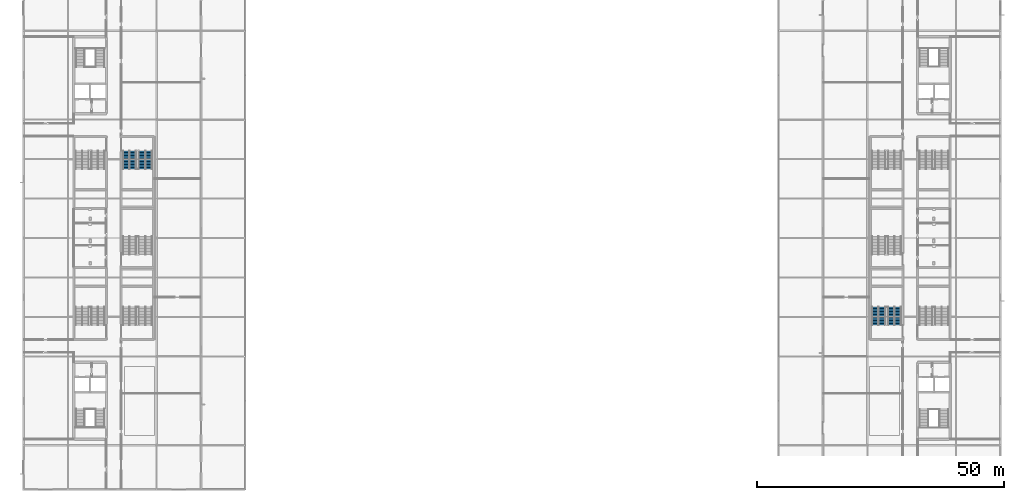
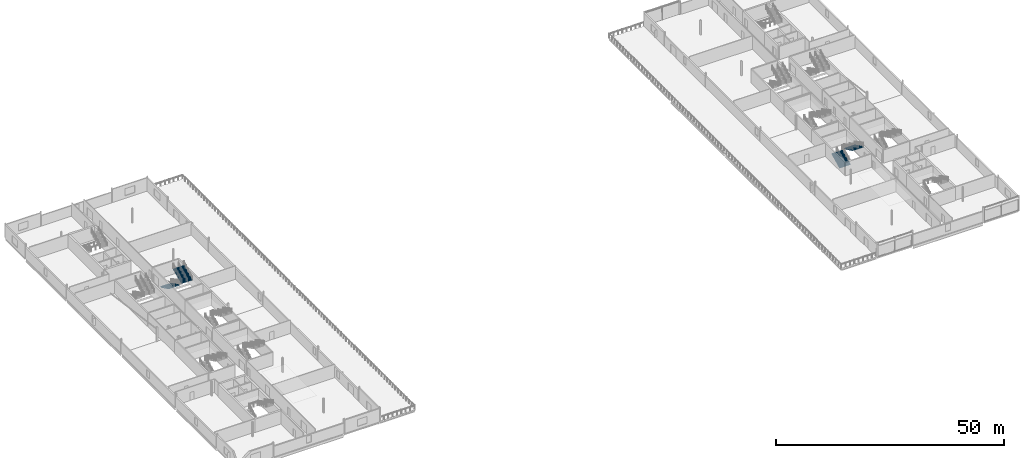
# One storey, part 44 of 55: 4 stair flights, 2 elements without a shape of their own.
"""IFC4 building model written with IfcOpenShell, lengths in metres."""

from ifc_helpers import new_model, si_unit, direction, frame, origin, place, context, subcontext, project, spatial, polygons, material, type_object, element, aggregate, save


model = new_model("IFC4")

# Units and contexts
model_context = context("Model", 3, precision=1e-05, world=origin(), true_north=direction((0.0, 1.0)))
body_context = subcontext(model_context, "Body", "Model", "MODEL_VIEW")
ifc_project = project(units=[si_unit("LENGTHUNIT", "METRE"), si_unit("AREAUNIT", "SQUARE_METRE"), si_unit("VOLUMEUNIT", "CUBIC_METRE"), si_unit("PLANEANGLEUNIT", "RADIAN"), si_unit("MASSUNIT", "GRAM", prefix="KILO")], contexts=[model_context])

# Site, building, storey
site_placement = place(None, origin())
site = spatial("IfcSite", under=ifc_project, at=site_placement, CompositionType="ELEMENT")
building_placement = place(site_placement, origin())
building = spatial("IfcBuilding", under=site, at=building_placement, Name="Kisiwana Market Hall", CompositionType="ELEMENT")
storey_placement = place(building_placement, frame((0.0, 0.0, 37.800048828125)))
storey = spatial("IfcBuildingStorey", under=building, at=storey_placement, Name="L08", CompositionType="ELEMENT", Elevation=37.800048828125)

# Stair, stair flights
ifc_material_1 = material(Name="Concrete C32/40", Category="concrete")
stair_type = type_object("IfcStairType", Name="ST-ESC-3900", PredefinedType="TWO_STRAIGHT_RUN_STAIR", material=ifc_material_1)
stair_1_placement = place(storey_placement, origin())
stair_1 = element("IfcStair", 1, at=stair_1_placement, inside=storey, type_object=stair_type, Name="Escape stair ST-E7-L08", PredefinedType="TWO_STRAIGHT_RUN_STAIR")
ifc_material_2 = material(Name="Concrete C32/40", Category="concrete")
stair_flight_type = type_object("IfcStairFlightType", Name="SF-ESC-3900", PredefinedType="STRAIGHT", material=ifc_material_2)
stair_flight_1_placement = place(storey_placement, frame((173.2900390625, 42.360107421875, 0.0), z_axis=(0.0, 0.0, 1.0), x_axis=(0.0, 1.0, 0.0)))
stair_flight_1 = element("IfcStairFlight", 2, at=stair_flight_1_placement, type_object=stair_flight_type, Name="ST-E7-L08 flight 1", NumberOfRisers=13, NumberOfTreads=12, PredefinedType="STRAIGHT", RiserHeight=0.15, TreadLength=0.305, context=body_context, shape_type="Tessellation", body=[
    polygons([(0.0, -1.380127, 0.0), (0.0, -0.690125, 0.0), (0.0, -0.000122, 0.0), (0.0, 0.68988, 0.0), (0.0, 1.379883, 0.0), (0.0, -1.380127, 0.149902), (0.0, -0.690125, 0.149902), (0.0, -0.000122, 0.149902), (0.0, 0.68988, 0.149902), (0.0, 1.379883, 0.149902), (0.304932, -1.380127, 0.149902), (0.304932, -0.690125, 0.149902), (0.304932, -0.000122, 0.149902), (0.304932, 0.68988, 0.149902), (0.304932, 1.379883, 0.149902), (0.304932, -1.380127, 0.300049), (0.304932, -0.690125, 0.300049), (0.304932, -0.000122, 0.300049), (0.304932, 0.68988, 0.300049), (0.304932, 1.379883, 0.300049), (0.610107, -1.380127, 0.300049), (0.610107, -0.690125, 0.300049), (0.610107, -0.000122, 0.300049), (0.610107, 0.68988, 0.300049), (0.610107, 1.379883, 0.300049), (0.610107, -1.380127, 0.449951), (0.610107, -0.690125, 0.449951), (0.610107, -0.000122, 0.449951), (0.610107, 0.68988, 0.449951), (0.610107, 1.379883, 0.449951), (0.915039, -1.380127, 0.449951), (0.915039, -0.690125, 0.449951), (0.915039, -0.000122, 0.449951), (0.915039, 0.68988, 0.449951), (0.915039, 1.379883, 0.449951), (0.915039, -1.380127, 0.600098), (0.915039, -0.690125, 0.600098), (0.915039, -0.000122, 0.600098), (0.915039, 0.68988, 0.600098), (0.915039, 1.379883, 0.600098), (1.219971, -1.380127, 0.600098), (1.219971, -0.690125, 0.600098), (1.219971, -0.000122, 0.600098), (1.219971, 0.68988, 0.600098), (1.219971, 1.379883, 0.600098), (1.219971, -1.380127, 0.75), (1.219971, -0.690125, 0.75), (1.219971, -0.000122, 0.75), (1.219971, 0.68988, 0.75), (1.219971, 1.379883, 0.75), (1.524902, -1.380127, 0.75), (1.524902, -0.690125, 0.75), (1.524902, -0.000122, 0.75), (1.524902, 0.68988, 0.75), (1.524902, 1.379883, 0.75), (1.524902, -1.380127, 0.899902), (1.524902, -0.690125, 0.899902), (1.524902, -0.000122, 0.899902), (1.524902, 0.68988, 0.899902), (1.524902, 1.379883, 0.899902), (1.830078, -1.380127, 0.899902), (1.830078, -0.690125, 0.899902), (1.830078, -0.000122, 0.899902), (1.830078, 0.68988, 0.899902), (1.830078, 1.379883, 0.899902), (1.830078, -1.380127, 1.050049), (1.830078, -0.690125, 1.050049), (1.830078, -0.000122, 1.050049), (1.830078, 0.68988, 1.050049), (1.830078, 1.379883, 1.050049), (2.13501, -1.380127, 1.050049), (2.13501, -0.690125, 1.050049), (2.13501, -0.000122, 1.050049), (2.13501, 0.68988, 1.050049), (2.13501, 1.379883, 1.050049), (2.13501, -1.380127, 1.199951), (2.13501, -0.690125, 1.199951), (2.13501, -0.000122, 1.199951), (2.13501, 0.68988, 1.199951), (2.13501, 1.379883, 1.199951), (2.439941, -1.380127, 1.199951), (2.439941, -0.690125, 1.199951), (2.439941, -0.000122, 1.199951), (2.439941, 0.68988, 1.199951), (2.439941, 1.379883, 1.199951), (2.439941, -1.380127, 1.350098), (2.439941, -0.690125, 1.350098), (2.439941, -0.000122, 1.350098), (2.439941, 0.68988, 1.350098), (2.439941, 1.379883, 1.350098), (2.745117, -1.380127, 1.350098), (2.745117, -0.690125, 1.350098), (2.745117, -0.000122, 1.350098), (2.745117, 0.68988, 1.350098), (2.745117, 1.379883, 1.350098), (2.745117, -1.380127, 1.5), (2.745117, -0.690125, 1.5), (2.745117, -0.000122, 1.5), (2.745117, 0.68988, 1.5), (2.745117, 1.379883, 1.5), (3.050049, -1.380127, 1.5), (3.050049, -0.690125, 1.5), (3.050049, -0.000122, 1.5), (3.050049, 0.68988, 1.5), (3.050049, 1.379883, 1.5), (3.050049, -1.380127, 1.649902), (3.050049, -0.690125, 1.649902), (3.050049, -0.000122, 1.649902), (3.050049, 0.68988, 1.649902), (3.050049, 1.379883, 1.649902), (3.35498, -1.380127, 1.649902), (3.35498, -0.690125, 1.649902), (3.35498, -0.000122, 1.649902), (3.35498, 0.68988, 1.649902), (3.35498, 1.379883, 1.649902), (3.35498, -1.380127, 1.800049), (3.35498, -0.690125, 1.800049), (3.35498, -0.000122, 1.800049), (3.35498, 0.68988, 1.800049), (3.35498, 1.379883, 1.800049), (3.659912, -1.380127, 1.800049), (3.659912, -0.690125, 1.800049), (3.659912, -0.000122, 1.800049), (3.659912, 0.68988, 1.800049), (3.659912, 1.379883, 1.800049), (3.659912, -1.380127, 1.599365), (3.659912, -0.690125, 1.599365), (3.659912, -0.000122, 1.599365), (3.659912, 0.68988, 1.599365), (3.659912, 1.379883, 1.599365), (0.407715, -1.380127, 0.0), (0.407715, -0.690125, 0.0), (0.407715, -0.000122, 0.0), (0.407715, 0.68988, 0.0), (0.407715, 1.379883, 0.0)], [[[1, 6, 7, 2]], [[2, 7, 8, 3]], [[3, 8, 9, 4]], [[4, 9, 10, 5]], [[6, 11, 12, 7]], [[7, 12, 13, 8]], [[8, 13, 14, 9]], [[9, 14, 15, 10]], [[11, 16, 17, 12]], [[12, 17, 18, 13]], [[13, 18, 19, 14]], [[14, 19, 20, 15]], [[16, 21, 22, 17]], [[17, 22, 23, 18]], [[18, 23, 24, 19]], [[19, 24, 25, 20]], [[21, 26, 27, 22]], [[22, 27, 28, 23]], [[23, 28, 29, 24]], [[24, 29, 30, 25]], [[26, 31, 32, 27]], [[27, 32, 33, 28]], [[28, 33, 34, 29]], [[29, 34, 35, 30]], [[31, 36, 37, 32]], [[32, 37, 38, 33]], [[33, 38, 39, 34]], [[34, 39, 40, 35]], [[36, 41, 42, 37]], [[37, 42, 43, 38]], [[38, 43, 44, 39]], [[39, 44, 45, 40]], [[41, 46, 47, 42]], [[42, 47, 48, 43]], [[43, 48, 49, 44]], [[44, 49, 50, 45]], [[46, 51, 52, 47]], [[47, 52, 53, 48]], [[48, 53, 54, 49]], [[49, 54, 55, 50]], [[51, 56, 57, 52]], [[52, 57, 58, 53]], [[53, 58, 59, 54]], [[54, 59, 60, 55]], [[56, 61, 62, 57]], [[57, 62, 63, 58]], [[58, 63, 64, 59]], [[59, 64, 65, 60]], [[61, 66, 67, 62]], [[62, 67, 68, 63]], [[63, 68, 69, 64]], [[64, 69, 70, 65]], [[66, 71, 72, 67]], [[67, 72, 73, 68]], [[68, 73, 74, 69]], [[69, 74, 75, 70]], [[71, 76, 77, 72]], [[72, 77, 78, 73]], [[73, 78, 79, 74]], [[74, 79, 80, 75]], [[76, 81, 82, 77]], [[77, 82, 83, 78]], [[78, 83, 84, 79]], [[79, 84, 85, 80]], [[81, 86, 87, 82]], [[82, 87, 88, 83]], [[83, 88, 89, 84]], [[84, 89, 90, 85]], [[86, 91, 92, 87]], [[87, 92, 93, 88]], [[88, 93, 94, 89]], [[89, 94, 95, 90]], [[91, 96, 97, 92]], [[92, 97, 98, 93]], [[93, 98, 99, 94]], [[94, 99, 100, 95]], [[96, 101, 102, 97]], [[97, 102, 103, 98]], [[98, 103, 104, 99]], [[99, 104, 105, 100]], [[101, 106, 107, 102]], [[102, 107, 108, 103]], [[103, 108, 109, 104]], [[104, 109, 110, 105]], [[106, 111, 112, 107]], [[107, 112, 113, 108]], [[108, 113, 114, 109]], [[109, 114, 115, 110]], [[111, 116, 117, 112]], [[112, 117, 118, 113]], [[113, 118, 119, 114]], [[114, 119, 120, 115]], [[116, 121, 122, 117]], [[117, 122, 123, 118]], [[118, 123, 124, 119]], [[119, 124, 125, 120]], [[121, 126, 127, 122]], [[122, 127, 128, 123]], [[123, 128, 129, 124]], [[124, 129, 130, 125]], [[126, 131, 132, 127]], [[127, 132, 133, 128]], [[128, 133, 134, 129]], [[129, 134, 135, 130]], [[131, 1, 2, 132]], [[132, 2, 3, 133]], [[133, 3, 4, 134]], [[134, 4, 5, 135]], [[131, 126, 121, 116, 111, 106, 101, 96, 91, 86, 81, 76, 71, 66, 61, 56, 51, 46, 41, 36, 31, 26, 21, 16, 11, 6, 1]], [[5, 10, 15, 20, 25, 30, 35, 40, 45, 50, 55, 60, 65, 70, 75, 80, 85, 90, 95, 100, 105, 110, 115, 120, 125, 130, 135]]], closed=True),
])
stair_flight_2_placement = place(storey_placement, frame((176.510009765625, 46.02001953125, 1.949951171875), z_axis=(0.0, 0.0, 1.0), x_axis=(0.0, -1.0, 0.0)))
stair_flight_2 = element("IfcStairFlight", 3, at=stair_flight_2_placement, type_object=stair_flight_type, Name="ST-E7-L08 flight 2", NumberOfRisers=13, NumberOfTreads=12, PredefinedType="STRAIGHT", RiserHeight=0.15, TreadLength=0.305, context=body_context, shape_type="Tessellation", body=[
    polygons([(0.0, -1.380127, 0.0), (0.0, -0.690125, 0.0), (0.0, -0.000122, 0.0), (0.0, 0.68988, 0.0), (0.0, 1.379883, 0.0), (0.0, -1.380127, 0.149902), (0.0, -0.690125, 0.149902), (0.0, -0.000122, 0.149902), (0.0, 0.68988, 0.149902), (0.0, 1.379883, 0.149902), (0.304932, -1.380127, 0.149902), (0.304932, -0.690125, 0.149902), (0.304932, -0.000122, 0.149902), (0.304932, 0.68988, 0.149902), (0.304932, 1.379883, 0.149902), (0.304932, -1.380127, 0.300049), (0.304932, -0.690125, 0.300049), (0.304932, -0.000122, 0.300049), (0.304932, 0.68988, 0.300049), (0.304932, 1.379883, 0.300049), (0.610107, -1.380127, 0.300049), (0.610107, -0.690125, 0.300049), (0.610107, -0.000122, 0.300049), (0.610107, 0.68988, 0.300049), (0.610107, 1.379883, 0.300049), (0.610107, -1.380127, 0.449951), (0.610107, -0.690125, 0.449951), (0.610107, -0.000122, 0.449951), (0.610107, 0.68988, 0.449951), (0.610107, 1.379883, 0.449951), (0.915039, -1.380127, 0.449951), (0.915039, -0.690125, 0.449951), (0.915039, -0.000122, 0.449951), (0.915039, 0.68988, 0.449951), (0.915039, 1.379883, 0.449951), (0.915039, -1.380127, 0.600098), (0.915039, -0.690125, 0.600098), (0.915039, -0.000122, 0.600098), (0.915039, 0.68988, 0.600098), (0.915039, 1.379883, 0.600098), (1.219971, -1.380127, 0.600098), (1.219971, -0.690125, 0.600098), (1.219971, -0.000122, 0.600098), (1.219971, 0.68988, 0.600098), (1.219971, 1.379883, 0.600098), (1.219971, -1.380127, 0.75), (1.219971, -0.690125, 0.75), (1.219971, -0.000122, 0.75), (1.219971, 0.68988, 0.75), (1.219971, 1.379883, 0.75), (1.524902, -1.380127, 0.75), (1.524902, -0.690125, 0.75), (1.524902, -0.000122, 0.75), (1.524902, 0.68988, 0.75), (1.524902, 1.379883, 0.75), (1.524902, -1.380127, 0.899902), (1.524902, -0.690125, 0.899902), (1.524902, -0.000122, 0.899902), (1.524902, 0.68988, 0.899902), (1.524902, 1.379883, 0.899902), (1.830078, -1.380127, 0.899902), (1.830078, -0.690125, 0.899902), (1.830078, -0.000122, 0.899902), (1.830078, 0.68988, 0.899902), (1.830078, 1.379883, 0.899902), (1.830078, -1.380127, 1.050049), (1.830078, -0.690125, 1.050049), (1.830078, -0.000122, 1.050049), (1.830078, 0.68988, 1.050049), (1.830078, 1.379883, 1.050049), (2.13501, -1.380127, 1.050049), (2.13501, -0.690125, 1.050049), (2.13501, -0.000122, 1.050049), (2.13501, 0.68988, 1.050049), (2.13501, 1.379883, 1.050049), (2.13501, -1.380127, 1.199951), (2.13501, -0.690125, 1.199951), (2.13501, -0.000122, 1.199951), (2.13501, 0.68988, 1.199951), (2.13501, 1.379883, 1.199951), (2.439941, -1.380127, 1.199951), (2.439941, -0.690125, 1.199951), (2.439941, -0.000122, 1.199951), (2.439941, 0.68988, 1.199951), (2.439941, 1.379883, 1.199951), (2.439941, -1.380127, 1.350098), (2.439941, -0.690125, 1.350098), (2.439941, -0.000122, 1.350098), (2.439941, 0.68988, 1.350098), (2.439941, 1.379883, 1.350098), (2.745117, -1.380127, 1.350098), (2.745117, -0.690125, 1.350098), (2.745117, -0.000122, 1.350098), (2.745117, 0.68988, 1.350098), (2.745117, 1.379883, 1.350098), (2.745117, -1.380127, 1.5), (2.745117, -0.690125, 1.5), (2.745117, -0.000122, 1.5), (2.745117, 0.68988, 1.5), (2.745117, 1.379883, 1.5), (3.050049, -1.380127, 1.5), (3.050049, -0.690125, 1.5), (3.050049, -0.000122, 1.5), (3.050049, 0.68988, 1.5), (3.050049, 1.379883, 1.5), (3.050049, -1.380127, 1.649902), (3.050049, -0.690125, 1.649902), (3.050049, -0.000122, 1.649902), (3.050049, 0.68988, 1.649902), (3.050049, 1.379883, 1.649902), (3.35498, -1.380127, 1.649902), (3.35498, -0.690125, 1.649902), (3.35498, -0.000122, 1.649902), (3.35498, 0.68988, 1.649902), (3.35498, 1.379883, 1.649902), (3.35498, -1.380127, 1.800049), (3.35498, -0.690125, 1.800049), (3.35498, -0.000122, 1.800049), (3.35498, 0.68988, 1.800049), (3.35498, 1.379883, 1.800049), (3.659912, -1.380127, 1.800049), (3.659912, -0.690125, 1.800049), (3.659912, -0.000122, 1.800049), (3.659912, 0.68988, 1.800049), (3.659912, 1.379883, 1.800049), (3.659912, -1.380127, 1.599365), (3.659912, -0.690125, 1.599365), (3.659912, -0.000122, 1.599365), (3.659912, 0.68988, 1.599365), (3.659912, 1.379883, 1.599365), (0.407715, -1.380127, 0.0), (0.407715, -0.690125, 0.0), (0.407715, -0.000122, 0.0), (0.407715, 0.68988, 0.0), (0.407715, 1.379883, 0.0)], [[[1, 6, 7, 2]], [[2, 7, 8, 3]], [[3, 8, 9, 4]], [[4, 9, 10, 5]], [[6, 11, 12, 7]], [[7, 12, 13, 8]], [[8, 13, 14, 9]], [[9, 14, 15, 10]], [[11, 16, 17, 12]], [[12, 17, 18, 13]], [[13, 18, 19, 14]], [[14, 19, 20, 15]], [[16, 21, 22, 17]], [[17, 22, 23, 18]], [[18, 23, 24, 19]], [[19, 24, 25, 20]], [[21, 26, 27, 22]], [[22, 27, 28, 23]], [[23, 28, 29, 24]], [[24, 29, 30, 25]], [[26, 31, 32, 27]], [[27, 32, 33, 28]], [[28, 33, 34, 29]], [[29, 34, 35, 30]], [[31, 36, 37, 32]], [[32, 37, 38, 33]], [[33, 38, 39, 34]], [[34, 39, 40, 35]], [[36, 41, 42, 37]], [[37, 42, 43, 38]], [[38, 43, 44, 39]], [[39, 44, 45, 40]], [[41, 46, 47, 42]], [[42, 47, 48, 43]], [[43, 48, 49, 44]], [[44, 49, 50, 45]], [[46, 51, 52, 47]], [[47, 52, 53, 48]], [[48, 53, 54, 49]], [[49, 54, 55, 50]], [[51, 56, 57, 52]], [[52, 57, 58, 53]], [[53, 58, 59, 54]], [[54, 59, 60, 55]], [[56, 61, 62, 57]], [[57, 62, 63, 58]], [[58, 63, 64, 59]], [[59, 64, 65, 60]], [[61, 66, 67, 62]], [[62, 67, 68, 63]], [[63, 68, 69, 64]], [[64, 69, 70, 65]], [[66, 71, 72, 67]], [[67, 72, 73, 68]], [[68, 73, 74, 69]], [[69, 74, 75, 70]], [[71, 76, 77, 72]], [[72, 77, 78, 73]], [[73, 78, 79, 74]], [[74, 79, 80, 75]], [[76, 81, 82, 77]], [[77, 82, 83, 78]], [[78, 83, 84, 79]], [[79, 84, 85, 80]], [[81, 86, 87, 82]], [[82, 87, 88, 83]], [[83, 88, 89, 84]], [[84, 89, 90, 85]], [[86, 91, 92, 87]], [[87, 92, 93, 88]], [[88, 93, 94, 89]], [[89, 94, 95, 90]], [[91, 96, 97, 92]], [[92, 97, 98, 93]], [[93, 98, 99, 94]], [[94, 99, 100, 95]], [[96, 101, 102, 97]], [[97, 102, 103, 98]], [[98, 103, 104, 99]], [[99, 104, 105, 100]], [[101, 106, 107, 102]], [[102, 107, 108, 103]], [[103, 108, 109, 104]], [[104, 109, 110, 105]], [[106, 111, 112, 107]], [[107, 112, 113, 108]], [[108, 113, 114, 109]], [[109, 114, 115, 110]], [[111, 116, 117, 112]], [[112, 117, 118, 113]], [[113, 118, 119, 114]], [[114, 119, 120, 115]], [[116, 121, 122, 117]], [[117, 122, 123, 118]], [[118, 123, 124, 119]], [[119, 124, 125, 120]], [[121, 126, 127, 122]], [[122, 127, 128, 123]], [[123, 128, 129, 124]], [[124, 129, 130, 125]], [[126, 131, 132, 127]], [[127, 132, 133, 128]], [[128, 133, 134, 129]], [[129, 134, 135, 130]], [[131, 1, 2, 132]], [[132, 2, 3, 133]], [[133, 3, 4, 134]], [[134, 4, 5, 135]], [[131, 126, 121, 116, 111, 106, 101, 96, 91, 86, 81, 76, 71, 66, 61, 56, 51, 46, 41, 36, 31, 26, 21, 16, 11, 6, 1]], [[5, 10, 15, 20, 25, 30, 35, 40, 45, 50, 55, 60, 65, 70, 75, 80, 85, 90, 95, 100, 105, 110, 115, 120, 125, 130, 135]]], closed=True),
])
aggregate(stair_1, [stair_flight_1, stair_flight_2])

stair_2_placement = place(storey_placement, origin())
stair_2 = element("IfcStair", 4, at=stair_2_placement, inside=storey, type_object=stair_type, Name="Escape stair ST-W8-L08", PredefinedType="TWO_STRAIGHT_RUN_STAIR")
stair_flight_3_placement = place(storey_placement, frame((21.489990234375, 77.639892578125, 0.0), z_axis=(0.0, 0.0, 1.0), x_axis=(0.0, -1.0, 0.0)))
stair_flight_3 = element("IfcStairFlight", 5, at=stair_flight_3_placement, type_object=stair_flight_type, Name="ST-W8-L08 flight 1", NumberOfRisers=13, NumberOfTreads=12, PredefinedType="STRAIGHT", RiserHeight=0.15, TreadLength=0.305, context=body_context, shape_type="Tessellation", body=[
    polygons([(0.0, -1.380127, 0.0), (0.0, -0.690125, 0.0), (0.0, -0.000122, 0.0), (0.0, 0.68988, 0.0), (0.0, 1.379883, 0.0), (0.0, -1.380127, 0.149902), (0.0, -0.690125, 0.149902), (0.0, -0.000122, 0.149902), (0.0, 0.68988, 0.149902), (0.0, 1.379883, 0.149902), (0.304932, -1.380127, 0.149902), (0.304932, -0.690125, 0.149902), (0.304932, -0.000122, 0.149902), (0.304932, 0.68988, 0.149902), (0.304932, 1.379883, 0.149902), (0.304932, -1.380127, 0.300049), (0.304932, -0.690125, 0.300049), (0.304932, -0.000122, 0.300049), (0.304932, 0.68988, 0.300049), (0.304932, 1.379883, 0.300049), (0.610107, -1.380127, 0.300049), (0.610107, -0.690125, 0.300049), (0.610107, -0.000122, 0.300049), (0.610107, 0.68988, 0.300049), (0.610107, 1.379883, 0.300049), (0.610107, -1.380127, 0.449951), (0.610107, -0.690125, 0.449951), (0.610107, -0.000122, 0.449951), (0.610107, 0.68988, 0.449951), (0.610107, 1.379883, 0.449951), (0.915039, -1.380127, 0.449951), (0.915039, -0.690125, 0.449951), (0.915039, -0.000122, 0.449951), (0.915039, 0.68988, 0.449951), (0.915039, 1.379883, 0.449951), (0.915039, -1.380127, 0.600098), (0.915039, -0.690125, 0.600098), (0.915039, -0.000122, 0.600098), (0.915039, 0.68988, 0.600098), (0.915039, 1.379883, 0.600098), (1.219971, -1.380127, 0.600098), (1.219971, -0.690125, 0.600098), (1.219971, -0.000122, 0.600098), (1.219971, 0.68988, 0.600098), (1.219971, 1.379883, 0.600098), (1.219971, -1.380127, 0.75), (1.219971, -0.690125, 0.75), (1.219971, -0.000122, 0.75), (1.219971, 0.68988, 0.75), (1.219971, 1.379883, 0.75), (1.524902, -1.380127, 0.75), (1.524902, -0.690125, 0.75), (1.524902, -0.000122, 0.75), (1.524902, 0.68988, 0.75), (1.524902, 1.379883, 0.75), (1.524902, -1.380127, 0.899902), (1.524902, -0.690125, 0.899902), (1.524902, -0.000122, 0.899902), (1.524902, 0.68988, 0.899902), (1.524902, 1.379883, 0.899902), (1.830078, -1.380127, 0.899902), (1.830078, -0.690125, 0.899902), (1.830078, -0.000122, 0.899902), (1.830078, 0.68988, 0.899902), (1.830078, 1.379883, 0.899902), (1.830078, -1.380127, 1.050049), (1.830078, -0.690125, 1.050049), (1.830078, -0.000122, 1.050049), (1.830078, 0.68988, 1.050049), (1.830078, 1.379883, 1.050049), (2.13501, -1.380127, 1.050049), (2.13501, -0.690125, 1.050049), (2.13501, -0.000122, 1.050049), (2.13501, 0.68988, 1.050049), (2.13501, 1.379883, 1.050049), (2.13501, -1.380127, 1.199951), (2.13501, -0.690125, 1.199951), (2.13501, -0.000122, 1.199951), (2.13501, 0.68988, 1.199951), (2.13501, 1.379883, 1.199951), (2.439941, -1.380127, 1.199951), (2.439941, -0.690125, 1.199951), (2.439941, -0.000122, 1.199951), (2.439941, 0.68988, 1.199951), (2.439941, 1.379883, 1.199951), (2.439941, -1.380127, 1.350098), (2.439941, -0.690125, 1.350098), (2.439941, -0.000122, 1.350098), (2.439941, 0.68988, 1.350098), (2.439941, 1.379883, 1.350098), (2.745117, -1.380127, 1.350098), (2.745117, -0.690125, 1.350098), (2.745117, -0.000122, 1.350098), (2.745117, 0.68988, 1.350098), (2.745117, 1.379883, 1.350098), (2.745117, -1.380127, 1.5), (2.745117, -0.690125, 1.5), (2.745117, -0.000122, 1.5), (2.745117, 0.68988, 1.5), (2.745117, 1.379883, 1.5), (3.050049, -1.380127, 1.5), (3.050049, -0.690125, 1.5), (3.050049, -0.000122, 1.5), (3.050049, 0.68988, 1.5), (3.050049, 1.379883, 1.5), (3.050049, -1.380127, 1.649902), (3.050049, -0.690125, 1.649902), (3.050049, -0.000122, 1.649902), (3.050049, 0.68988, 1.649902), (3.050049, 1.379883, 1.649902), (3.35498, -1.380127, 1.649902), (3.35498, -0.690125, 1.649902), (3.35498, -0.000122, 1.649902), (3.35498, 0.68988, 1.649902), (3.35498, 1.379883, 1.649902), (3.35498, -1.380127, 1.800049), (3.35498, -0.690125, 1.800049), (3.35498, -0.000122, 1.800049), (3.35498, 0.68988, 1.800049), (3.35498, 1.379883, 1.800049), (3.659912, -1.380127, 1.800049), (3.659912, -0.690125, 1.800049), (3.659912, -0.000122, 1.800049), (3.659912, 0.68988, 1.800049), (3.659912, 1.379883, 1.800049), (3.659912, -1.380127, 1.599365), (3.659912, -0.690125, 1.599365), (3.659912, -0.000122, 1.599365), (3.659912, 0.68988, 1.599365), (3.659912, 1.379883, 1.599365), (0.407715, -1.380127, 0.0), (0.407715, -0.690125, 0.0), (0.407715, -0.000122, 0.0), (0.407715, 0.68988, 0.0), (0.407715, 1.379883, 0.0)], [[[1, 6, 7, 2]], [[2, 7, 8, 3]], [[3, 8, 9, 4]], [[4, 9, 10, 5]], [[6, 11, 12, 7]], [[7, 12, 13, 8]], [[8, 13, 14, 9]], [[9, 14, 15, 10]], [[11, 16, 17, 12]], [[12, 17, 18, 13]], [[13, 18, 19, 14]], [[14, 19, 20, 15]], [[16, 21, 22, 17]], [[17, 22, 23, 18]], [[18, 23, 24, 19]], [[19, 24, 25, 20]], [[21, 26, 27, 22]], [[22, 27, 28, 23]], [[23, 28, 29, 24]], [[24, 29, 30, 25]], [[26, 31, 32, 27]], [[27, 32, 33, 28]], [[28, 33, 34, 29]], [[29, 34, 35, 30]], [[31, 36, 37, 32]], [[32, 37, 38, 33]], [[33, 38, 39, 34]], [[34, 39, 40, 35]], [[36, 41, 42, 37]], [[37, 42, 43, 38]], [[38, 43, 44, 39]], [[39, 44, 45, 40]], [[41, 46, 47, 42]], [[42, 47, 48, 43]], [[43, 48, 49, 44]], [[44, 49, 50, 45]], [[46, 51, 52, 47]], [[47, 52, 53, 48]], [[48, 53, 54, 49]], [[49, 54, 55, 50]], [[51, 56, 57, 52]], [[52, 57, 58, 53]], [[53, 58, 59, 54]], [[54, 59, 60, 55]], [[56, 61, 62, 57]], [[57, 62, 63, 58]], [[58, 63, 64, 59]], [[59, 64, 65, 60]], [[61, 66, 67, 62]], [[62, 67, 68, 63]], [[63, 68, 69, 64]], [[64, 69, 70, 65]], [[66, 71, 72, 67]], [[67, 72, 73, 68]], [[68, 73, 74, 69]], [[69, 74, 75, 70]], [[71, 76, 77, 72]], [[72, 77, 78, 73]], [[73, 78, 79, 74]], [[74, 79, 80, 75]], [[76, 81, 82, 77]], [[77, 82, 83, 78]], [[78, 83, 84, 79]], [[79, 84, 85, 80]], [[81, 86, 87, 82]], [[82, 87, 88, 83]], [[83, 88, 89, 84]], [[84, 89, 90, 85]], [[86, 91, 92, 87]], [[87, 92, 93, 88]], [[88, 93, 94, 89]], [[89, 94, 95, 90]], [[91, 96, 97, 92]], [[92, 97, 98, 93]], [[93, 98, 99, 94]], [[94, 99, 100, 95]], [[96, 101, 102, 97]], [[97, 102, 103, 98]], [[98, 103, 104, 99]], [[99, 104, 105, 100]], [[101, 106, 107, 102]], [[102, 107, 108, 103]], [[103, 108, 109, 104]], [[104, 109, 110, 105]], [[106, 111, 112, 107]], [[107, 112, 113, 108]], [[108, 113, 114, 109]], [[109, 114, 115, 110]], [[111, 116, 117, 112]], [[112, 117, 118, 113]], [[113, 118, 119, 114]], [[114, 119, 120, 115]], [[116, 121, 122, 117]], [[117, 122, 123, 118]], [[118, 123, 124, 119]], [[119, 124, 125, 120]], [[121, 126, 127, 122]], [[122, 127, 128, 123]], [[123, 128, 129, 124]], [[124, 129, 130, 125]], [[126, 131, 132, 127]], [[127, 132, 133, 128]], [[128, 133, 134, 129]], [[129, 134, 135, 130]], [[131, 1, 2, 132]], [[132, 2, 3, 133]], [[133, 3, 4, 134]], [[134, 4, 5, 135]], [[131, 126, 121, 116, 111, 106, 101, 96, 91, 86, 81, 76, 71, 66, 61, 56, 51, 46, 41, 36, 31, 26, 21, 16, 11, 6, 1]], [[5, 10, 15, 20, 25, 30, 35, 40, 45, 50, 55, 60, 65, 70, 75, 80, 85, 90, 95, 100, 105, 110, 115, 120, 125, 130, 135]]], closed=True),
])
stair_flight_4_placement = place(storey_placement, frame((24.7099609375, 73.97998046875, 1.949951171875), z_axis=(0.0, 0.0, 1.0), x_axis=(0.0, 1.0, 0.0)))
stair_flight_4 = element("IfcStairFlight", 6, at=stair_flight_4_placement, type_object=stair_flight_type, Name="ST-W8-L08 flight 2", NumberOfRisers=13, NumberOfTreads=12, PredefinedType="STRAIGHT", RiserHeight=0.15, TreadLength=0.305, context=body_context, shape_type="Tessellation", body=[
    polygons([(0.0, -1.380127, 0.0), (0.0, -0.690125, 0.0), (0.0, -0.000122, 0.0), (0.0, 0.68988, 0.0), (0.0, 1.379883, 0.0), (0.0, -1.380127, 0.149902), (0.0, -0.690125, 0.149902), (0.0, -0.000122, 0.149902), (0.0, 0.68988, 0.149902), (0.0, 1.379883, 0.149902), (0.304932, -1.380127, 0.149902), (0.304932, -0.690125, 0.149902), (0.304932, -0.000122, 0.149902), (0.304932, 0.68988, 0.149902), (0.304932, 1.379883, 0.149902), (0.304932, -1.380127, 0.300049), (0.304932, -0.690125, 0.300049), (0.304932, -0.000122, 0.300049), (0.304932, 0.68988, 0.300049), (0.304932, 1.379883, 0.300049), (0.610107, -1.380127, 0.300049), (0.610107, -0.690125, 0.300049), (0.610107, -0.000122, 0.300049), (0.610107, 0.68988, 0.300049), (0.610107, 1.379883, 0.300049), (0.610107, -1.380127, 0.449951), (0.610107, -0.690125, 0.449951), (0.610107, -0.000122, 0.449951), (0.610107, 0.68988, 0.449951), (0.610107, 1.379883, 0.449951), (0.915039, -1.380127, 0.449951), (0.915039, -0.690125, 0.449951), (0.915039, -0.000122, 0.449951), (0.915039, 0.68988, 0.449951), (0.915039, 1.379883, 0.449951), (0.915039, -1.380127, 0.600098), (0.915039, -0.690125, 0.600098), (0.915039, -0.000122, 0.600098), (0.915039, 0.68988, 0.600098), (0.915039, 1.379883, 0.600098), (1.219971, -1.380127, 0.600098), (1.219971, -0.690125, 0.600098), (1.219971, -0.000122, 0.600098), (1.219971, 0.68988, 0.600098), (1.219971, 1.379883, 0.600098), (1.219971, -1.380127, 0.75), (1.219971, -0.690125, 0.75), (1.219971, -0.000122, 0.75), (1.219971, 0.68988, 0.75), (1.219971, 1.379883, 0.75), (1.524902, -1.380127, 0.75), (1.524902, -0.690125, 0.75), (1.524902, -0.000122, 0.75), (1.524902, 0.68988, 0.75), (1.524902, 1.379883, 0.75), (1.524902, -1.380127, 0.899902), (1.524902, -0.690125, 0.899902), (1.524902, -0.000122, 0.899902), (1.524902, 0.68988, 0.899902), (1.524902, 1.379883, 0.899902), (1.830078, -1.380127, 0.899902), (1.830078, -0.690125, 0.899902), (1.830078, -0.000122, 0.899902), (1.830078, 0.68988, 0.899902), (1.830078, 1.379883, 0.899902), (1.830078, -1.380127, 1.050049), (1.830078, -0.690125, 1.050049), (1.830078, -0.000122, 1.050049), (1.830078, 0.68988, 1.050049), (1.830078, 1.379883, 1.050049), (2.13501, -1.380127, 1.050049), (2.13501, -0.690125, 1.050049), (2.13501, -0.000122, 1.050049), (2.13501, 0.68988, 1.050049), (2.13501, 1.379883, 1.050049), (2.13501, -1.380127, 1.199951), (2.13501, -0.690125, 1.199951), (2.13501, -0.000122, 1.199951), (2.13501, 0.68988, 1.199951), (2.13501, 1.379883, 1.199951), (2.439941, -1.380127, 1.199951), (2.439941, -0.690125, 1.199951), (2.439941, -0.000122, 1.199951), (2.439941, 0.68988, 1.199951), (2.439941, 1.379883, 1.199951), (2.439941, -1.380127, 1.350098), (2.439941, -0.690125, 1.350098), (2.439941, -0.000122, 1.350098), (2.439941, 0.68988, 1.350098), (2.439941, 1.379883, 1.350098), (2.745117, -1.380127, 1.350098), (2.745117, -0.690125, 1.350098), (2.745117, -0.000122, 1.350098), (2.745117, 0.68988, 1.350098), (2.745117, 1.379883, 1.350098), (2.745117, -1.380127, 1.5), (2.745117, -0.690125, 1.5), (2.745117, -0.000122, 1.5), (2.745117, 0.68988, 1.5), (2.745117, 1.379883, 1.5), (3.050049, -1.380127, 1.5), (3.050049, -0.690125, 1.5), (3.050049, -0.000122, 1.5), (3.050049, 0.68988, 1.5), (3.050049, 1.379883, 1.5), (3.050049, -1.380127, 1.649902), (3.050049, -0.690125, 1.649902), (3.050049, -0.000122, 1.649902), (3.050049, 0.68988, 1.649902), (3.050049, 1.379883, 1.649902), (3.35498, -1.380127, 1.649902), (3.35498, -0.690125, 1.649902), (3.35498, -0.000122, 1.649902), (3.35498, 0.68988, 1.649902), (3.35498, 1.379883, 1.649902), (3.35498, -1.380127, 1.800049), (3.35498, -0.690125, 1.800049), (3.35498, -0.000122, 1.800049), (3.35498, 0.68988, 1.800049), (3.35498, 1.379883, 1.800049), (3.659912, -1.380127, 1.800049), (3.659912, -0.690125, 1.800049), (3.659912, -0.000122, 1.800049), (3.659912, 0.68988, 1.800049), (3.659912, 1.379883, 1.800049), (3.659912, -1.380127, 1.599365), (3.659912, -0.690125, 1.599365), (3.659912, -0.000122, 1.599365), (3.659912, 0.68988, 1.599365), (3.659912, 1.379883, 1.599365), (0.407715, -1.380127, 0.0), (0.407715, -0.690125, 0.0), (0.407715, -0.000122, 0.0), (0.407715, 0.68988, 0.0), (0.407715, 1.379883, 0.0)], [[[1, 6, 7, 2]], [[2, 7, 8, 3]], [[3, 8, 9, 4]], [[4, 9, 10, 5]], [[6, 11, 12, 7]], [[7, 12, 13, 8]], [[8, 13, 14, 9]], [[9, 14, 15, 10]], [[11, 16, 17, 12]], [[12, 17, 18, 13]], [[13, 18, 19, 14]], [[14, 19, 20, 15]], [[16, 21, 22, 17]], [[17, 22, 23, 18]], [[18, 23, 24, 19]], [[19, 24, 25, 20]], [[21, 26, 27, 22]], [[22, 27, 28, 23]], [[23, 28, 29, 24]], [[24, 29, 30, 25]], [[26, 31, 32, 27]], [[27, 32, 33, 28]], [[28, 33, 34, 29]], [[29, 34, 35, 30]], [[31, 36, 37, 32]], [[32, 37, 38, 33]], [[33, 38, 39, 34]], [[34, 39, 40, 35]], [[36, 41, 42, 37]], [[37, 42, 43, 38]], [[38, 43, 44, 39]], [[39, 44, 45, 40]], [[41, 46, 47, 42]], [[42, 47, 48, 43]], [[43, 48, 49, 44]], [[44, 49, 50, 45]], [[46, 51, 52, 47]], [[47, 52, 53, 48]], [[48, 53, 54, 49]], [[49, 54, 55, 50]], [[51, 56, 57, 52]], [[52, 57, 58, 53]], [[53, 58, 59, 54]], [[54, 59, 60, 55]], [[56, 61, 62, 57]], [[57, 62, 63, 58]], [[58, 63, 64, 59]], [[59, 64, 65, 60]], [[61, 66, 67, 62]], [[62, 67, 68, 63]], [[63, 68, 69, 64]], [[64, 69, 70, 65]], [[66, 71, 72, 67]], [[67, 72, 73, 68]], [[68, 73, 74, 69]], [[69, 74, 75, 70]], [[71, 76, 77, 72]], [[72, 77, 78, 73]], [[73, 78, 79, 74]], [[74, 79, 80, 75]], [[76, 81, 82, 77]], [[77, 82, 83, 78]], [[78, 83, 84, 79]], [[79, 84, 85, 80]], [[81, 86, 87, 82]], [[82, 87, 88, 83]], [[83, 88, 89, 84]], [[84, 89, 90, 85]], [[86, 91, 92, 87]], [[87, 92, 93, 88]], [[88, 93, 94, 89]], [[89, 94, 95, 90]], [[91, 96, 97, 92]], [[92, 97, 98, 93]], [[93, 98, 99, 94]], [[94, 99, 100, 95]], [[96, 101, 102, 97]], [[97, 102, 103, 98]], [[98, 103, 104, 99]], [[99, 104, 105, 100]], [[101, 106, 107, 102]], [[102, 107, 108, 103]], [[103, 108, 109, 104]], [[104, 109, 110, 105]], [[106, 111, 112, 107]], [[107, 112, 113, 108]], [[108, 113, 114, 109]], [[109, 114, 115, 110]], [[111, 116, 117, 112]], [[112, 117, 118, 113]], [[113, 118, 119, 114]], [[114, 119, 120, 115]], [[116, 121, 122, 117]], [[117, 122, 123, 118]], [[118, 123, 124, 119]], [[119, 124, 125, 120]], [[121, 126, 127, 122]], [[122, 127, 128, 123]], [[123, 128, 129, 124]], [[124, 129, 130, 125]], [[126, 131, 132, 127]], [[127, 132, 133, 128]], [[128, 133, 134, 129]], [[129, 134, 135, 130]], [[131, 1, 2, 132]], [[132, 2, 3, 133]], [[133, 3, 4, 134]], [[134, 4, 5, 135]], [[131, 126, 121, 116, 111, 106, 101, 96, 91, 86, 81, 76, 71, 66, 61, 56, 51, 46, 41, 36, 31, 26, 21, 16, 11, 6, 1]], [[5, 10, 15, 20, 25, 30, 35, 40, 45, 50, 55, 60, 65, 70, 75, 80, 85, 90, 95, 100, 105, 110, 115, 120, 125, 130, 135]]], closed=True),
])
aggregate(stair_2, [stair_flight_3, stair_flight_4])

save(model, "model.ifc")
